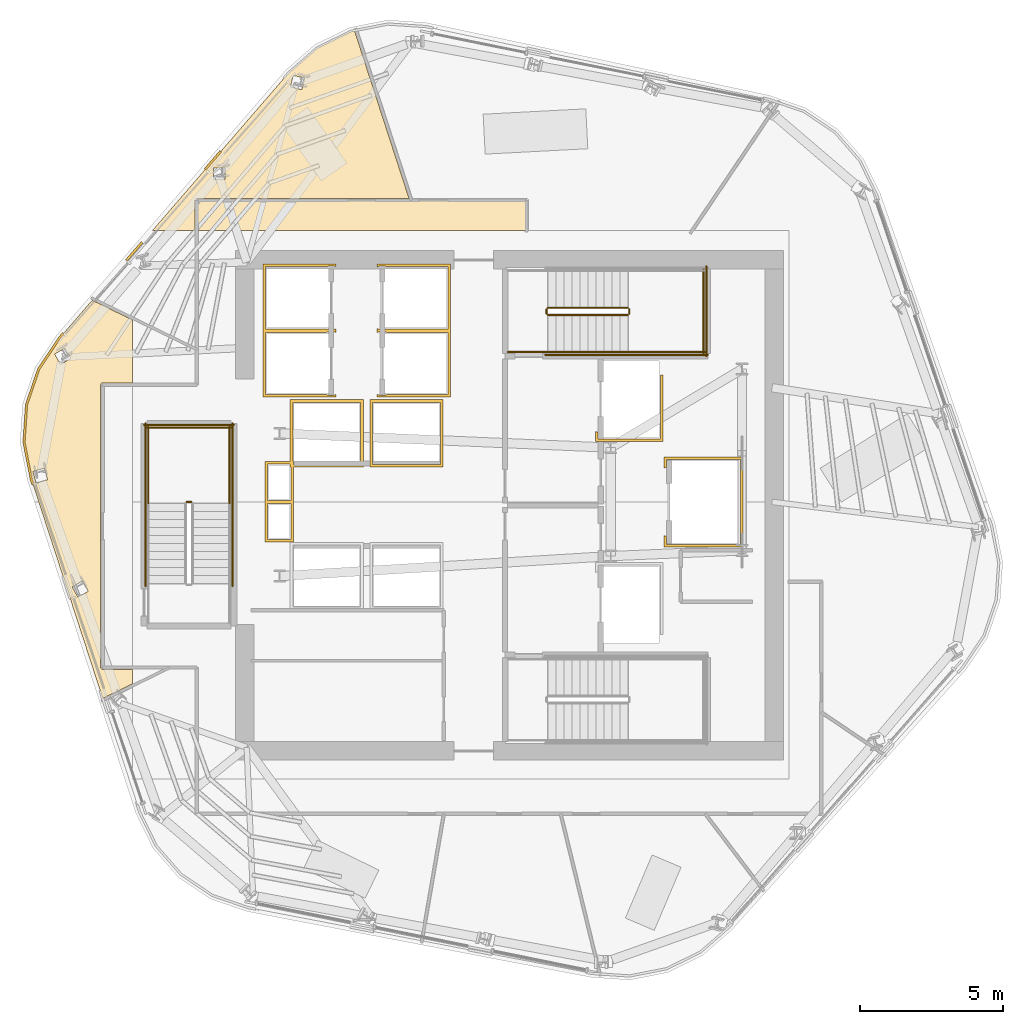
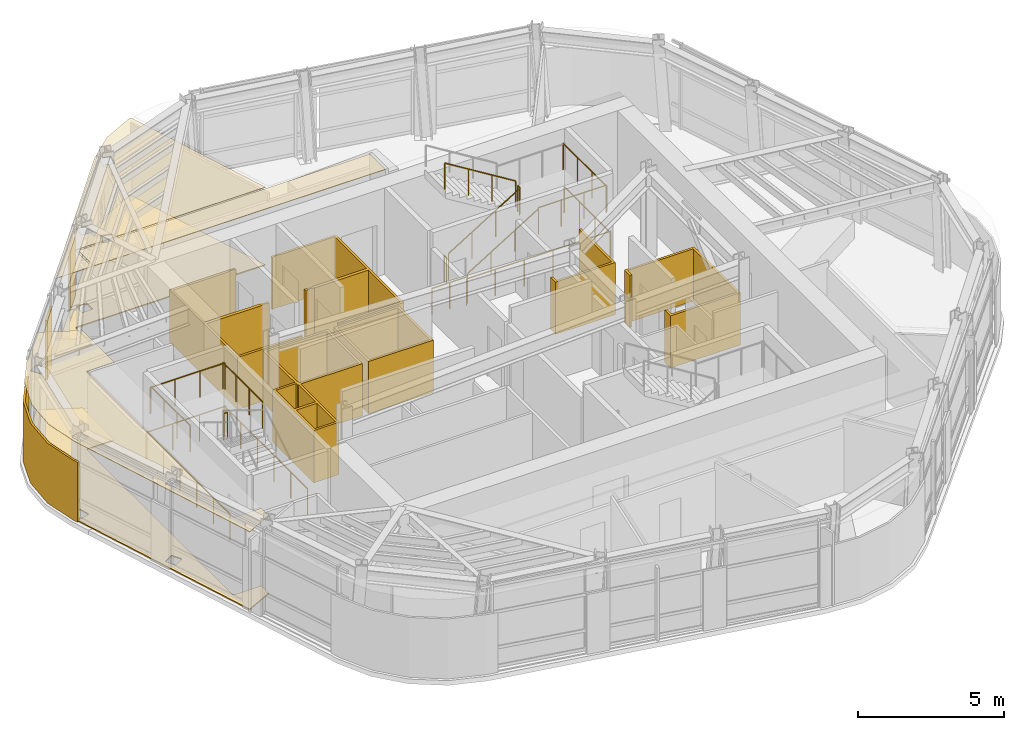
# One storey, part 10 of 12: 17 railings, 14 coverings.
"""IFC4 building model written with IfcOpenShell, lengths in metres."""

import ifcopenshell
import ifcopenshell.guid

model = None  # the IFC model being written
_history = None  # IfcOwnerHistory: only IFC2X3 demands one
_inside = {}  # id of a spatial element -> (the spatial element, [elements in it])
_under = {}  # id of a project, library or spatial element -> (it, [spatial elements below it])
_declared = {}  # id of a project -> (the project, [libraries it declares])
_typed = {}  # id of a type object -> (the type object, [elements of that type])
_made_of = {}  # id of a material, layer set ... -> (it, [elements and type objects made of it])


def new_model(schema):
    """Start an empty IFC model of exactly this schema.

    Asked for "IFC4X3", IfcOpenShell would pick the latest addendum, in which some entities
    have other attributes; the version numbers below select the first issue.
    IFC2X3 requires an IfcOwnerHistory on every rooted entity: one is made here for all.
    """
    global model, _history
    if schema == "IFC4X3":
        model = ifcopenshell.file(schema_version=(4, 3, 0, 0))
    else:
        model = ifcopenshell.file(schema=schema)
    _inside.clear()
    _under.clear()
    _declared.clear()
    _typed.clear()
    _made_of.clear()
    _history = None
    if model.schema == "IFC2X3":
        org = make("IfcOrganization", Name="unknown")
        user = make(
            "IfcPersonAndOrganization",
            ThePerson=make("IfcPerson", FamilyName="unknown"),
            TheOrganization=org,
        )
        app = make(
            "IfcApplication",
            ApplicationDeveloper=org,
            Version="unknown",
            ApplicationFullName="unknown",
            ApplicationIdentifier="unknown",
        )
        _history = make(
            "IfcOwnerHistory",
            OwningUser=user,
            OwningApplication=app,
            ChangeAction="ADDED",
            CreationDate=0,
        )
    return model


def make(cls, **values):
    """One entity of the class cls with the attributes given. An attribute that is None is left unset."""
    return model.create_entity(
        cls, **{name: value for name, value in values.items() if value is not None}
    )


def rooted(cls, **values):
    """An entity with a GlobalId (a new one), such as an element, a storey or a relation."""
    return make(cls, GlobalId=ifcopenshell.guid.new(), OwnerHistory=_history, **values)


def si_unit(unit_type, name, prefix=None):
    """IfcSIUnit, for example si_unit("LENGTHUNIT", "METRE", prefix="MILLI")."""
    return make("IfcSIUnit", UnitType=unit_type, Prefix=prefix, Name=name)


def assignment(units):
    """IfcUnitAssignment: the units of a project."""
    return None if units is None else make("IfcUnitAssignment", Units=units)


def point(xyz):
    """IfcCartesianPoint."""
    return None if xyz is None else make("IfcCartesianPoint", Coordinates=xyz)


def direction(xyz):
    """IfcDirection."""
    return None if xyz is None else make("IfcDirection", DirectionRatios=xyz)


def frame(location, z_axis=None, x_axis=None):
    """IfcAxis2Placement3D, a coordinate frame: its origin and axes. An axis left out is left unset."""
    return make(
        "IfcAxis2Placement3D",
        Location=point(location),
        Axis=direction(z_axis),
        RefDirection=direction(x_axis),
    )


def frame_2d(location, x_axis=None):
    """IfcAxis2Placement2D, a coordinate frame in the plane: its origin and x axis."""
    return make(
        "IfcAxis2Placement2D", Location=point(location), RefDirection=direction(x_axis)
    )


def origin():
    """The frame at (0, 0, 0) with its axes left unset."""
    return frame((0.0, 0.0, 0.0))


def origin_2d():
    """The frame at (0, 0) in the plane with its x axis left unset."""
    return frame_2d((0.0, 0.0))


def place(relative_to, where):
    """IfcLocalPlacement: puts the frame where relative to a parent placement (None: the world)."""
    return make(
        "IfcLocalPlacement", PlacementRelTo=relative_to, RelativePlacement=where
    )


def context(
    kind, dimensions, precision=None, world=None, true_north=None, identifier=None
):
    """IfcGeometricRepresentationContext, for example the 3D "Model" context."""
    return make(
        "IfcGeometricRepresentationContext",
        ContextIdentifier=identifier,
        ContextType=kind,
        CoordinateSpaceDimension=dimensions,
        Precision=precision,
        WorldCoordinateSystem=world,
        TrueNorth=true_north,
    )


def subcontext(parent, identifier, kind, view, scale=None):
    """IfcGeometricRepresentationSubContext, for example "Body" below "Model"."""
    return make(
        "IfcGeometricRepresentationSubContext",
        ContextIdentifier=identifier,
        ContextType=kind,
        ParentContext=parent,
        TargetScale=scale,
        TargetView=view,
    )


def project(units=None, contexts=None):
    """IfcProject with its units and contexts."""
    return rooted(
        "IfcProject",
        Name="project",
        RepresentationContexts=contexts,
        UnitsInContext=assignment(units),
    )


def spatial(cls, under=None, at=None, **own):
    """A site, building, storey or space (cls), placed at a placement, below another one or the project."""
    s = rooted(cls, ObjectPlacement=at, **own)
    if under is not None:
        _under.setdefault(under.id(), (under, []))[1].append(s)
    return s


def polyline(points):
    """IfcPolyline through the points."""
    return make("IfcPolyline", Points=[point(p) for p in points])


def profile(cls, at=None, kind="AREA", **sizes):
    """A parametric profile (cls). Its sizes go by their IFC names, for example OverallWidth=200.0."""
    return make(cls, ProfileType=kind, Position=at, **sizes)


def circle(**sizes):
    """IfcCircleProfileDef."""
    return profile("IfcCircleProfileDef", **sizes)


def outline(outer, holes=None, kind="AREA"):
    """IfcArbitraryClosedProfileDef: a profile drawn as a closed curve; with holes, ...WithVoids."""
    if holes is None:
        return make("IfcArbitraryClosedProfileDef", ProfileType=kind, OuterCurve=outer)
    return make(
        "IfcArbitraryProfileDefWithVoids",
        ProfileType=kind,
        OuterCurve=outer,
        InnerCurves=holes,
    )


def extrude(swept, where, along, depth):
    """IfcExtrudedAreaSolid: the profile swept, set in the frame where, extruded along a direction by depth."""
    return make(
        "IfcExtrudedAreaSolid",
        SweptArea=swept,
        Position=where,
        ExtrudedDirection=direction(along),
        Depth=depth,
    )


def shape(context_of_items, identifier, shape_type, items):
    """IfcShapeRepresentation: the items that make up one representation, for example the "Body"."""
    return make(
        "IfcShapeRepresentation",
        ContextOfItems=context_of_items,
        RepresentationIdentifier=identifier,
        RepresentationType=shape_type,
        Items=items,
    )


def material(Name=None, Category=None):
    """IfcMaterial."""
    return make("IfcMaterial", Name=Name, Category=Category)


def layer(
    of_material, thickness, ventilated=None, Name=None, Category=None, Priority=None
):
    """IfcMaterialLayer: one layer of a wall or slab, of a material (None: an air gap)."""
    return make(
        "IfcMaterialLayer",
        Material=of_material,
        LayerThickness=thickness,
        IsVentilated=ventilated,
        Name=Name,
        Category=Category,
        Priority=Priority,
    )


def layer_set(layers, Name=None):
    """IfcMaterialLayerSet."""
    return make("IfcMaterialLayerSet", MaterialLayers=layers, LayerSetName=Name)


def made_of(thing, what):
    """Note that an element or type object is made of a material, layer set ...; save() writes the relation."""
    if what is not None:
        _made_of.setdefault(what.id(), (what, []))[1].append(thing)
    return thing


def type_object(cls, material=None, **own):
    """A type object (cls), such as IfcWallType, which elements share."""
    return made_of(rooted(cls, **own), material)


def element(
    cls,
    number,
    at=None,
    inside=None,
    cuts=None,
    type_object=None,
    material=None,
    context=None,
    identifier="Body",
    shape_type=None,
    held_by="IfcProductDefinitionShape",
    body=None,
    shapes=None,
    **own,
):
    """One element of the class cls, such as IfcWall. Its Tag is "e" and its number.

    at: its placement. inside: the storey or other place that contains it. cuts: it is an
    opening in that element (IfcRelVoidsElement). A single representation is given by context,
    identifier, shape_type and body (its items); several are given by shapes. held_by: the class
    of the entity that holds the representations. save() writes the other relations.
    """
    e = rooted(cls, Tag="e%d" % number, ObjectPlacement=at, **own)
    if body is not None:
        shapes = [shape(context, identifier, shape_type, body)]
    if shapes is not None:
        e.Representation = make(held_by, Representations=shapes)
    if inside is not None:
        _inside.setdefault(inside.id(), (inside, []))[1].append(e)
    if cuts is not None:
        rooted(
            "IfcRelVoidsElement", RelatingBuildingElement=cuts, RelatedOpeningElement=e
        )
    if type_object is not None:
        _typed.setdefault(type_object.id(), (type_object, []))[1].append(e)
    return made_of(e, material)


def aggregate(whole, parts):
    """IfcRelAggregates: a whole, such as a stair, and the parts it consists of."""
    return rooted("IfcRelAggregates", RelatingObject=whole, RelatedObjects=parts)


def save(model, path):
    """Write the relations noted so far, then the file.

    IfcRelAggregates (storeys below a building ...), IfcRelContainedInSpatialStructure (elements
    in a storey), IfcRelDefinesByType, IfcRelAssociatesMaterial and IfcRelDeclares: one each for
    every whole, place, type object, material and project.
    """
    for whole, parts in _under.values():
        aggregate(whole, parts)
    for where, things in _inside.values():
        rooted(
            "IfcRelContainedInSpatialStructure",
            RelatedElements=things,
            RelatingStructure=where,
        )
    for kind, things in _typed.values():
        rooted("IfcRelDefinesByType", RelatedObjects=things, RelatingType=kind)
    for what, things in _made_of.values():
        rooted("IfcRelAssociatesMaterial", RelatedObjects=things, RelatingMaterial=what)
    for by, libraries in _declared.values():
        rooted("IfcRelDeclares", RelatingContext=by, RelatedDefinitions=libraries)
    model.write(path)


model = new_model("IFC4")

# Units and contexts
model_context = context("Model", 3, precision=1e-05, world=origin(), true_north=direction((0.0, 1.0)))
body_context = subcontext(model_context, "Body", "Model", "MODEL_VIEW")
ifc_project = project(units=[si_unit("LENGTHUNIT", "METRE"), si_unit("AREAUNIT", "SQUARE_METRE"), si_unit("VOLUMEUNIT", "CUBIC_METRE"), si_unit("PLANEANGLEUNIT", "RADIAN"), si_unit("MASSUNIT", "GRAM", prefix="KILO")], contexts=[model_context])

# Site, building, storey
site_placement = place(None, origin())
site = spatial("IfcSite", under=ifc_project, at=site_placement, CompositionType="ELEMENT")
building_placement = place(site_placement, origin())
building = spatial("IfcBuilding", under=site, at=building_placement, Name="Valkerne Bourse Tower", CompositionType="ELEMENT")
storey_placement = place(building_placement, frame((0.0, 0.0, 232.199951171875)))
storey = spatial("IfcBuildingStorey", under=building, at=storey_placement, Name="L59", CompositionType="ELEMENT", Elevation=232.199951171875)

# Coverings
ifc_material_1 = material(Name="Mineral Fiber Acoustic Ceiling Tile", Category="acoustic")
ifc_layer_1 = layer(ifc_material_1, 0.02490234375)
ifc_layer_set_1 = layer_set([ifc_layer_1], Name="Mineral Fiber Acoustic Ceiling Tile")
covering_type_1 = type_object("IfcCoveringType", Name="COV-CEIL-ACT", PredefinedType="CEILING", material=ifc_layer_set_1)
covering_1_placement = place(storey_placement, frame((0.0, 0.0, 3.25)))
element("IfcCovering", 1, at=covering_1_placement, inside=storey, type_object=covering_type_1, Name="L59 Suspended Ceiling 07", PredefinedType="CEILING", context=body_context, shape_type="SweptSolid", body=[
    extrude(outline(polyline([(29.889892578125, 30.40966796875), (30.3173828125, 31.657958984375), (31.05908203125, 32.76171875), (32.183837890625, 34.063232421875), (33.60009765625, 33.372314453125), (33.60009765625, 31.1689453125), (32.54931640625, 31.1689453125), (32.50830078125, 31.1552734375), (32.483154296875, 31.117431640625), (32.48291015625, 21.18359375), (32.50830078125, 21.144775390625), (32.54931640625, 21.131103515625), (33.60009765625, 21.131103515625), (33.60009765625, 20.627685546875), (32.5537109375, 20.1171875), (30.056396484375, 27.788330078125), (29.80029296875, 29.093017578125), (29.889892578125, 30.40966796875)]), holes=[polyline([(32.04541015625, 23.8701171875), (31.841064453125, 24.22705078125), (31.481201171875, 24.021728515625), (31.481689453125, 24.01953125), (31.685791015625, 23.66259765625), (32.045654296875, 23.867919921875), (32.04541015625, 23.8701171875)]), polyline([(30.619873046875, 27.77490234375), (30.5126953125, 28.171630859375), (30.112548828125, 28.064208984375), (30.112548828125, 28.061767578125), (30.2197265625, 27.664794921875), (30.619873046875, 27.7724609375), (30.619873046875, 27.77490234375)]), polyline([(31.43359375, 32.026611328125), (31.224853515625, 32.384033203125), (30.869140625, 32.177490234375), (30.868408203125, 32.17529296875), (31.0771484375, 31.817626953125), (31.432861328125, 32.0244140625), (31.43359375, 32.026611328125)])]), origin(), (0.0, 0.0, 1.0), 0.025146484375),
])
covering_2_placement = place(storey_placement, frame((0.0, 0.0, 3.25)))
element("IfcCovering", 2, at=covering_2_placement, inside=storey, type_object=covering_type_1, Name="L59 Suspended Ceiling 08", PredefinedType="CEILING", context=body_context, shape_type="SweptSolid", body=[
    extrude(outline(polyline([(41.253173828125, 43.48193359375), (41.375, 43.505859375), (43.284423828125, 37.62890625), (35.849365234375, 37.62890625), (35.809326171875, 37.615966796875), (35.787841796875, 37.590087890625), (35.781005859375, 37.560546875), (35.781005859375, 36.5), (34.289794921875, 36.5), (39.067138671875, 42.0283203125), (40.068115234375, 42.9013671875), (41.253173828125, 43.48193359375)]), holes=[polyline([(36.841796875, 38.287109375), (36.843017578125, 38.700927734375), (36.431640625, 38.703125), (36.429931640625, 38.701904296875), (36.4287109375, 38.28759765625), (36.840087890625, 38.285400390625), (36.841796875, 38.287109375)]), polyline([(39.525146484375, 41.4384765625), (39.631103515625, 41.838623046875), (39.23388671875, 41.94482421875), (39.231689453125, 41.94384765625), (39.12548828125, 41.543701171875), (39.52294921875, 41.437255859375), (39.525146484375, 41.4384765625)])]), origin(), (0.0, 0.0, 1.0), 0.025146484375),
])
ifc_material_2 = material(Name="Bronze Anodised Aluminium AA 6063-T6", Category="aluminium")
ifc_layer_2 = layer(ifc_material_2, 0.030029296875)
ifc_layer_set_2 = layer_set([ifc_layer_2], Name="Bronze Anodised Aluminium AA 6063-T6")
covering_type_2 = type_object("IfcCoveringType", Name="COV-CEIL-METAL", PredefinedType="CEILING", material=ifc_layer_set_2)
covering_3_placement = place(storey_placement, frame((0.0, 0.0, 3.25)))
element("IfcCovering", 3, at=covering_3_placement, inside=storey, type_object=covering_type_2, Name="L59 Suspended Ceiling 03", PredefinedType="CEILING", context=body_context, shape_type="SweptSolid", body=[
    extrude(outline(polyline([(35.85400390625, 37.555908203125), (47.39599609375, 37.555908203125), (47.39599609375, 36.5), (35.85400390625, 36.5), (35.85400390625, 37.555908203125)])), origin(), (0.0, 0.0, 1.0), 0.025146484375),
])
ifc_layer_3 = layer(ifc_material_2, 0.06005859375)
ifc_layer_set_3 = layer_set([ifc_layer_3], Name="Bronze Anodised Aluminium AA 6063-T6")
covering_type_3 = type_object("IfcCoveringType", Name="COV-CRN-ALUM", PredefinedType="CLADDING", material=ifc_layer_set_3)
covering_4_placement = place(storey_placement, origin())
element("IfcCovering", 4, at=covering_4_placement, inside=storey, type_object=covering_type_3, Name="L59 Wind-Shaped Corner Aluminium Cladding 10", PredefinedType="CLADDING", context=body_context, shape_type="SweptSolid", body=[
    extrude(outline(polyline([(30.013671875, 27.777099609375), (29.756103515625, 29.09033203125), (29.846435546875, 30.41845703125), (30.277587890625, 31.677734375), (31.024169921875, 32.78857421875), (31.150146484375, 32.934326171875), (31.210205078125, 32.881591796875), (31.087890625, 32.739990234375), (30.349853515625, 31.641845703125), (29.925537109375, 30.402587890625), (29.83642578125, 29.095458984375), (30.09130859375, 27.79736328125), (30.149169921875, 27.619384765625), (30.0732421875, 27.593994140625), (30.013671875, 27.777099609375)])), origin(), (0.0, 0.0, 1.0), 2.5),
])
covering_5_placement = place(storey_placement, origin())
element("IfcCovering", 5, at=covering_5_placement, inside=storey, type_object=covering_type_3, Name="L59 Wind-Shaped Corner Aluminium Cladding 11", PredefinedType="CLADDING", context=body_context, shape_type="SweptSolid", body=[
    extrude(outline(polyline([(33.904296875, 36.121337890625), (33.96435546875, 36.068603515625), (33.4150390625, 35.432861328125), (33.35498046875, 35.48583984375), (33.904296875, 36.121337890625)])), origin(), (0.0, 0.0, 1.0), 2.5),
])
covering_6_placement = place(storey_placement, origin())
element("IfcCovering", 6, at=covering_6_placement, inside=storey, type_object=covering_type_3, Name="L59 Wind-Shaped Corner Aluminium Cladding 12", PredefinedType="CLADDING", context=body_context, shape_type="SweptSolid", body=[
    extrude(outline(polyline([(36.658447265625, 39.308349609375), (36.718505859375, 39.255615234375), (36.169189453125, 38.619873046875), (36.109375, 38.6728515625), (36.658447265625, 39.308349609375)])), origin(), (0.0, 0.0, 1.0), 2.5),
])
ifc_material_3 = material(Name="Galvanised Painted Steel", Category="steel")
ifc_layer_4 = layer(ifc_material_3, 0.044921875)
ifc_layer_set_4 = layer_set([ifc_layer_4], Name="Galvanised Painted Steel")
covering_type_4 = type_object("IfcCoveringType", Name="COV-FLR-RAF", PredefinedType="FLOORING", material=ifc_layer_set_4)
covering_7_placement = place(storey_placement, origin())
element("IfcCovering", 7, at=covering_7_placement, inside=storey, type_object=covering_type_4, Name="L59 Floor Finish 07", PredefinedType="FLOORING", context=body_context, shape_type="SweptSolid", body=[
    extrude(outline(polyline([(29.889892578125, 30.40966796875), (30.3173828125, 31.657958984375), (31.05908203125, 32.76171875), (32.183837890625, 34.063232421875), (33.60009765625, 33.372314453125), (33.60009765625, 31.1689453125), (32.54931640625, 31.1689453125), (32.50830078125, 31.1552734375), (32.483154296875, 31.117431640625), (32.48291015625, 21.18359375), (32.50830078125, 21.144775390625), (32.54931640625, 21.131103515625), (33.60009765625, 21.131103515625), (33.60009765625, 20.627685546875), (32.5537109375, 20.1171875), (30.056396484375, 27.788330078125), (29.80029296875, 29.093017578125), (29.889892578125, 30.40966796875)]), holes=[polyline([(32.04541015625, 23.8701171875), (31.841064453125, 24.22705078125), (31.481201171875, 24.021728515625), (31.481689453125, 24.01953125), (31.685791015625, 23.66259765625), (32.045654296875, 23.867919921875), (32.04541015625, 23.8701171875)]), polyline([(30.619873046875, 27.77490234375), (30.5126953125, 28.171630859375), (30.112548828125, 28.064208984375), (30.112548828125, 28.061767578125), (30.2197265625, 27.664794921875), (30.619873046875, 27.7724609375), (30.619873046875, 27.77490234375)]), polyline([(31.43359375, 32.026611328125), (31.224853515625, 32.384033203125), (30.869140625, 32.177490234375), (30.868408203125, 32.17529296875), (31.0771484375, 31.817626953125), (31.432861328125, 32.0244140625), (31.43359375, 32.026611328125)])]), origin(), (0.0, 0.0, 1.0), 0.045166015625),
])
covering_8_placement = place(storey_placement, origin())
element("IfcCovering", 8, at=covering_8_placement, inside=storey, type_object=covering_type_4, Name="L59 Floor Finish 08", PredefinedType="FLOORING", context=body_context, shape_type="SweptSolid", body=[
    extrude(outline(polyline([(41.253173828125, 43.48193359375), (41.375, 43.505859375), (43.284423828125, 37.62890625), (35.849365234375, 37.62890625), (35.809326171875, 37.615966796875), (35.787841796875, 37.590087890625), (35.781005859375, 37.560546875), (35.781005859375, 36.5), (34.289794921875, 36.5), (39.067138671875, 42.0283203125), (40.068115234375, 42.9013671875), (41.253173828125, 43.48193359375)]), holes=[polyline([(36.841796875, 38.287109375), (36.843017578125, 38.700927734375), (36.431640625, 38.703125), (36.429931640625, 38.701904296875), (36.4287109375, 38.28759765625), (36.840087890625, 38.285400390625), (36.841796875, 38.287109375)]), polyline([(39.525146484375, 41.4384765625), (39.631103515625, 41.838623046875), (39.23388671875, 41.94482421875), (39.231689453125, 41.94384765625), (39.12548828125, 41.543701171875), (39.52294921875, 41.437255859375), (39.525146484375, 41.4384765625)])]), origin(), (0.0, 0.0, 1.0), 0.045166015625),
])
ifc_material_4 = material(Name="Gypsum Shaftwall Liner Board", Category="gypsum")
ifc_layer_5 = layer(ifc_material_4, 0.080078125)
ifc_layer_set_5 = layer_set([ifc_layer_5], Name="Gypsum Shaftwall Liner Board")
covering_type_5 = type_object("IfcCoveringType", Name="COV-SHF-CLAD", PredefinedType="CLADDING", material=ifc_layer_set_5)
covering_9_placement = place(storey_placement, origin())
element("IfcCovering", 9, at=covering_9_placement, inside=storey, type_object=covering_type_5, Name="L59 Hoistway & Riser Shaftwall Liner 03", PredefinedType="CLADDING", context=body_context, shape_type="SweptSolid", body=[
    extrude(outline(polyline([(38.239990234375, 28.409912109375), (39.1201171875, 28.409912109375), (39.1201171875, 30.580078125), (41.679931640625, 30.580078125), (41.679931640625, 28.219970703125), (39.239990234375, 28.219970703125), (39.239990234375, 27.0400390625), (39.239990234375, 26.9599609375), (39.239990234375, 25.590087890625), (38.239990234375, 25.590087890625), (38.239990234375, 26.9599609375), (38.239990234375, 27.0400390625), (38.239990234375, 28.409912109375)]), holes=[polyline([(38.330078125, 26.949951171875), (38.330078125, 25.679931640625), (39.14990234375, 25.679931640625), (39.14990234375, 26.949951171875), (38.330078125, 26.949951171875)]), polyline([(39.2099609375, 30.489990234375), (39.2099609375, 28.409912109375), (39.239990234375, 28.409912109375), (39.239990234375, 28.31005859375), (41.590087890625, 28.31005859375), (41.590087890625, 30.489990234375), (39.2099609375, 30.489990234375)]), polyline([(38.330078125, 27.050048828125), (39.14990234375, 27.050048828125), (39.14990234375, 28.219970703125), (39.1201171875, 28.219970703125), (39.1201171875, 28.320068359375), (38.330078125, 28.320068359375), (38.330078125, 27.050048828125)])]), origin(), (0.0, 0.0, 1.0), 2.179931640625),
])
covering_10_placement = place(storey_placement, origin())
element("IfcCovering", 10, at=covering_10_placement, inside=storey, type_object=covering_type_5, Name="L59 Hoistway & Riser Shaftwall Liner 04", PredefinedType="CLADDING", context=body_context, shape_type="SweptSolid", body=[
    extrude(outline(polyline([(38.169921875, 35.330078125), (40.72998046875, 35.330078125), (40.72998046875, 35.232177734375), (40.72216796875, 35.235595703125), (40.6806640625, 35.25048828125), (40.6376953125, 35.261474609375), (40.593994140625, 35.267822265625), (40.550048828125, 35.27001953125), (40.505859375, 35.267822265625), (40.462158203125, 35.261474609375), (40.41943359375, 35.25048828125), (40.3896484375, 35.239990234375), (38.260009765625, 35.239990234375), (38.260009765625, 33.06005859375), (40.3896484375, 33.06005859375), (40.41943359375, 33.04931640625), (40.462158203125, 33.03857421875), (40.505859375, 33.0322265625), (40.550048828125, 33.030029296875), (40.593994140625, 33.0322265625), (40.6376953125, 33.03857421875), (40.6806640625, 33.04931640625), (40.72216796875, 33.064208984375), (40.72998046875, 33.06787109375), (40.72998046875, 33.030029296875), (40.72998046875, 32.969970703125), (40.72998046875, 32.93212890625), (40.72216796875, 32.935791015625), (40.6806640625, 32.95068359375), (40.6376953125, 32.96142578125), (40.593994140625, 32.9677734375), (40.550048828125, 32.969970703125), (40.505859375, 32.9677734375), (40.462158203125, 32.96142578125), (40.41943359375, 32.95068359375), (40.3896484375, 32.93994140625), (38.260009765625, 32.93994140625), (38.260009765625, 30.760009765625), (40.3896484375, 30.760009765625), (40.41943359375, 30.74951171875), (40.462158203125, 30.738525390625), (40.505859375, 30.732177734375), (40.550048828125, 30.72998046875), (40.593994140625, 30.732177734375), (40.6376953125, 30.738525390625), (40.6806640625, 30.74951171875), (40.72216796875, 30.764404296875), (40.72998046875, 30.767822265625), (40.72998046875, 30.669921875), (38.169921875, 30.669921875), (38.169921875, 32.969970703125), (38.169921875, 33.030029296875), (38.169921875, 35.330078125)])), origin(), (0.0, 0.0, 1.0), 2.179931640625),
])
covering_11_placement = place(storey_placement, origin())
element("IfcCovering", 11, at=covering_11_placement, inside=storey, type_object=covering_type_5, Name="L59 Hoistway & Riser Shaftwall Liner 06", PredefinedType="CLADDING", context=body_context, shape_type="SweptSolid", body=[
    extrude(outline(polyline([(54.97998046875, 25.419921875), (52.219970703125, 25.419921875), (52.219970703125, 25.81787109375), (52.227783203125, 25.814208984375), (52.269287109375, 25.79931640625), (52.31005859375, 25.789306640625), (52.31005859375, 25.510009765625), (54.889892578125, 25.510009765625), (54.889892578125, 28.489990234375), (52.31005859375, 28.489990234375), (52.31005859375, 28.210693359375), (52.269287109375, 28.20068359375), (52.227783203125, 28.185791015625), (52.219970703125, 28.18212890625), (52.219970703125, 28.580078125), (54.97998046875, 28.580078125), (54.97998046875, 25.419921875)])), origin(), (0.0, 0.0, 1.0), 2.179931640625),
])
covering_12_placement = place(storey_placement, origin())
element("IfcCovering", 12, at=covering_12_placement, inside=storey, type_object=covering_type_5, Name="L59 Hoistway & Riser Shaftwall Liner 07", PredefinedType="CLADDING", context=body_context, shape_type="SweptSolid", body=[
    extrude(outline(polyline([(44.47998046875, 28.219970703125), (41.919921875, 28.219970703125), (41.919921875, 30.580078125), (44.47998046875, 30.580078125), (44.47998046875, 28.219970703125)]), holes=[polyline([(42.010009765625, 30.489990234375), (42.010009765625, 28.31005859375), (44.389892578125, 28.31005859375), (44.389892578125, 30.489990234375), (42.010009765625, 30.489990234375)])]), origin(), (0.0, 0.0, 1.0), 2.179931640625),
])
covering_13_placement = place(storey_placement, origin())
element("IfcCovering", 13, at=covering_13_placement, inside=storey, type_object=covering_type_5, Name="L59 Hoistway & Riser Shaftwall Liner 08", PredefinedType="CLADDING", context=body_context, shape_type="SweptSolid", body=[
    extrude(outline(polyline([(49.820068359375, 29.1201171875), (49.820068359375, 29.468017578125), (49.827880859375, 29.46435546875), (49.869384765625, 29.449462890625), (49.909912109375, 29.439208984375), (49.909912109375, 29.2099609375), (52.090087890625, 29.2099609375), (52.090087890625, 31.449951171875), (52.179931640625, 31.449951171875), (52.179931640625, 29.1201171875), (49.820068359375, 29.1201171875)])), origin(), (0.0, 0.0, 1.0), 2.179931640625),
])
covering_14_placement = place(storey_placement, origin())
element("IfcCovering", 14, at=covering_14_placement, inside=storey, type_object=covering_type_5, Name="L59 Hoistway & Riser Shaftwall Liner 09", PredefinedType="CLADDING", context=body_context, shape_type="SweptSolid", body=[
    extrude(outline(polyline([(42.169921875, 33.06787109375), (42.177734375, 33.064208984375), (42.219482421875, 33.04931640625), (42.26220703125, 33.03857421875), (42.305908203125, 33.0322265625), (42.35009765625, 33.030029296875), (42.39404296875, 33.0322265625), (42.437744140625, 33.03857421875), (42.480712890625, 33.04931640625), (42.51025390625, 33.06005859375), (44.639892578125, 33.06005859375), (44.639892578125, 35.239990234375), (42.51025390625, 35.239990234375), (42.480712890625, 35.25048828125), (42.437744140625, 35.261474609375), (42.39404296875, 35.267822265625), (42.35009765625, 35.27001953125), (42.305908203125, 35.267822265625), (42.26220703125, 35.261474609375), (42.219482421875, 35.25048828125), (42.177734375, 35.235595703125), (42.169921875, 35.232177734375), (42.169921875, 35.330078125), (44.72998046875, 35.330078125), (44.72998046875, 33.030029296875), (44.72998046875, 32.969970703125), (44.72998046875, 30.669921875), (42.169921875, 30.669921875), (42.169921875, 30.767822265625), (42.177734375, 30.764404296875), (42.219482421875, 30.74951171875), (42.26220703125, 30.738525390625), (42.305908203125, 30.732177734375), (42.35009765625, 30.72998046875), (42.39404296875, 30.732177734375), (42.437744140625, 30.738525390625), (42.480712890625, 30.74951171875), (42.51025390625, 30.760009765625), (44.639892578125, 30.760009765625), (44.639892578125, 32.93994140625), (42.51025390625, 32.93994140625), (42.480712890625, 32.95068359375), (42.437744140625, 32.96142578125), (42.39404296875, 32.9677734375), (42.35009765625, 32.969970703125), (42.305908203125, 32.9677734375), (42.26220703125, 32.96142578125), (42.219482421875, 32.95068359375), (42.177734375, 32.935791015625), (42.169921875, 32.93212890625), (42.169921875, 32.969970703125), (42.169921875, 33.030029296875), (42.169921875, 33.06787109375)])), origin(), (0.0, 0.0, 1.0), 2.179931640625),
])

# Railings
railing_type_1 = type_object("IfcRailingType", Name="RLG-ST-GUARD-1120", PredefinedType="GUARDRAIL", material=ifc_material_3)
railing_1_placement = place(storey_placement, frame((48.14990234375, 33.550048828125, 0.1728515625)))
element("IfcRailing", 15, at=railing_1_placement, inside=storey, type_object=railing_type_1, Name="L59 ST-2 stair guard 1", PredefinedType="GUARDRAIL", context=body_context, shape_type="SweptSolid", body=[
    extrude(circle(Radius=0.02392578125, at=origin_2d()), frame((0.0, 0.0, 1.09619140625), z_axis=(0.851089632645, 0.0, 0.525020415988), x_axis=(0.0, 1.0, 0.0)), (0.0, 0.0, 1.0), 3.2900390625),
    extrude(circle(Radius=0.02099609375, at=origin_2d()), origin(), (0.0, 0.0, 1.0), 1.072021484375),
    extrude(circle(Radius=0.02099609375, at=origin_2d()), frame((0.933349609375, 0.0, 0.57568359375)), (0.0, 0.0, 1.0), 1.072021484375),
    extrude(circle(Radius=0.02099609375, at=origin_2d()), frame((1.86669921875, 0.0, 1.151611328125)), (0.0, 0.0, 1.0), 1.072021484375),
    extrude(circle(Radius=0.02099609375, at=origin_2d()), frame((2.800048828125, 0.0, 1.727294921875)), (0.0, 0.0, 1.0), 1.072021484375),
])
railing_2_placement = place(storey_placement, frame((51.0, 33.60009765625, 1.900146484375)))
element("IfcRailing", 16, at=railing_2_placement, inside=storey, type_object=railing_type_1, Name="L59 ST-2 stair guard 2", PredefinedType="GUARDRAIL", context=body_context, shape_type="SweptSolid", body=[
    extrude(circle(Radius=0.02392578125, at=origin_2d()), frame((0.0, 0.0, 1.09619140625), z_axis=(0.0, 1.0, 0.0), x_axis=(-1.0, 0.0, 0.0)), (0.0, 0.0, 1.0), 0.14990234375),
    extrude(circle(Radius=0.02099609375, at=origin_2d()), origin(), (0.0, 0.0, 1.0), 1.072021484375),
    extrude(circle(Radius=0.02099609375, at=origin_2d()), frame((0.0, 0.14990234375, 0.0)), (0.0, 0.0, 1.0), 1.072021484375),
])
railing_3_placement = place(storey_placement, frame((50.949951171875, 32.25, 1.900146484375)))
element("IfcRailing", 17, at=railing_3_placement, inside=storey, type_object=railing_type_1, Name="L59 ST-2 stair guard 3", PredefinedType="GUARDRAIL", context=body_context, shape_type="SweptSolid", body=[
    extrude(circle(Radius=0.02392578125, at=origin_2d()), frame((0.0, 0.0, 1.09619140625), z_axis=(1.0, 0.0, 0.0), x_axis=(0.0, 1.0, 0.0)), (0.0, 0.0, 1.0), 2.699951171875),
    extrude(circle(Radius=0.02099609375, at=origin_2d()), origin(), (0.0, 0.0, 1.0), 1.072021484375),
    extrude(circle(Radius=0.02099609375, at=origin_2d()), frame((0.89990234375, 0.0, 0.0)), (0.0, 0.0, 1.0), 1.072021484375),
    extrude(circle(Radius=0.02099609375, at=origin_2d()), frame((1.800048828125, 0.0, 0.0)), (0.0, 0.0, 1.0), 1.072021484375),
    extrude(circle(Radius=0.02099609375, at=origin_2d()), frame((2.699951171875, 0.0, 0.0)), (0.0, 0.0, 1.0), 1.072021484375),
])
railing_4_placement = place(storey_placement, frame((53.60009765625, 32.199951171875, 1.900146484375)))
element("IfcRailing", 18, at=railing_4_placement, inside=storey, type_object=railing_type_1, Name="L59 ST-2 stair guard 5", PredefinedType="GUARDRAIL", context=body_context, shape_type="SweptSolid", body=[
    extrude(circle(Radius=0.02392578125, at=origin_2d()), frame((0.0, 0.0, 1.09619140625), z_axis=(0.0, 1.0, 0.0), x_axis=(-1.0, 0.0, 0.0)), (0.0, 0.0, 1.0), 2.949951171875),
    extrude(circle(Radius=0.02099609375, at=origin_2d()), origin(), (0.0, 0.0, 1.0), 1.072021484375),
    extrude(circle(Radius=0.02099609375, at=origin_2d()), frame((0.0, 0.9833984375, 0.0)), (0.0, 0.0, 1.0), 1.072021484375),
    extrude(circle(Radius=0.02099609375, at=origin_2d()), frame((0.0, 1.966552734375, 0.0)), (0.0, 0.0, 1.0), 1.072021484375),
    extrude(circle(Radius=0.02099609375, at=origin_2d()), frame((0.0, 2.949951171875, 0.0)), (0.0, 0.0, 1.0), 1.072021484375),
])
railing_5_placement = place(storey_placement, frame((50.949951171875, 33.800048828125, 2.07275390625)))
element("IfcRailing", 19, at=railing_5_placement, inside=storey, type_object=railing_type_1, Name="L59 ST-2 stair guard 6", PredefinedType="GUARDRAIL", context=body_context, shape_type="SweptSolid", body=[
    extrude(circle(Radius=0.02392578125, at=origin_2d()), frame((0.0, 0.0, 1.09619140625), z_axis=(-0.851089632645, 0.0, 0.525020415988), x_axis=(0.0, -1.0, 0.0)), (0.0, 0.0, 1.0), 3.2900390625),
    extrude(circle(Radius=0.02099609375, at=origin_2d()), origin(), (0.0, 0.0, 1.0), 1.072021484375),
    extrude(circle(Radius=0.02099609375, at=origin_2d()), frame((-0.933349609375, 0.0, 0.57568359375)), (0.0, 0.0, 1.0), 1.072021484375),
    extrude(circle(Radius=0.02099609375, at=origin_2d()), frame((-1.86669921875, 0.0, 1.151611328125)), (0.0, 0.0, 1.0), 1.072021484375),
    extrude(circle(Radius=0.02099609375, at=origin_2d()), frame((-2.800048828125, 0.0, 1.727294921875)), (0.0, 0.0, 1.0), 1.072021484375),
])
railing_6_placement = place(storey_placement, frame((48.10009765625, 33.60009765625, 0.0)))
element("IfcRailing", 20, at=railing_6_placement, inside=storey, type_object=railing_type_1, Name="L59 ST-2 stair guard 7", PredefinedType="GUARDRAIL", context=body_context, shape_type="SweptSolid", body=[
    extrude(circle(Radius=0.02392578125, at=origin_2d()), frame((0.0, 0.0, 1.09619140625), z_axis=(0.0, 1.0, 0.0), x_axis=(-1.0, 0.0, 0.0)), (0.0, 0.0, 1.0), 0.14990234375),
    extrude(circle(Radius=0.02099609375, at=origin_2d()), origin(), (0.0, 0.0, 1.0), 1.072021484375),
    extrude(circle(Radius=0.02099609375, at=origin_2d()), frame((0.0, 0.14990234375, 0.0)), (0.0, 0.0, 1.0), 1.072021484375),
])
railing_7_placement = place(storey_placement, frame((46.75, 32.25, 0.0)))
element("IfcRailing", 21, at=railing_7_placement, inside=storey, type_object=railing_type_1, Name="L59 ST-2 stair guard 8", PredefinedType="GUARDRAIL", context=body_context, shape_type="SweptSolid", body=[
    extrude(circle(Radius=0.02392578125, at=origin_2d()), frame((0.0, 0.0, 1.09619140625), z_axis=(1.0, 0.0, 0.0), x_axis=(0.0, 1.0, 0.0)), (0.0, 0.0, 1.0), 1.39990234375),
    extrude(circle(Radius=0.02099609375, at=origin_2d()), origin(), (0.0, 0.0, 1.0), 1.072021484375),
    extrude(circle(Radius=0.02099609375, at=origin_2d()), frame((0.699951171875, 0.0, 0.0)), (0.0, 0.0, 1.0), 1.072021484375),
    extrude(circle(Radius=0.02099609375, at=origin_2d()), frame((1.39990234375, 0.0, 0.0)), (0.0, 0.0, 1.0), 1.072021484375),
])
railing_8_placement = place(storey_placement, frame((48.050048828125, 32.14990234375, 0.0)))
element("IfcRailing", 22, at=railing_8_placement, inside=storey, type_object=railing_type_1, Name="L59 ST-2 stair guard 10", PredefinedType="GUARDRAIL", context=body_context, shape_type="SweptSolid", body=[
    extrude(circle(Radius=0.02392578125, at=origin_2d()), frame((0.0, 0.0, 1.09619140625), z_axis=(1.0, 0.0, 0.0), x_axis=(0.0, 1.0, 0.0)), (0.0, 0.0, 1.0), 5.699951171875),
    extrude(circle(Radius=0.02099609375, at=origin_2d()), origin(), (0.0, 0.0, 1.0), 1.072021484375),
    extrude(circle(Radius=0.02099609375, at=origin_2d()), frame((1.139892578125, 0.0, 0.0)), (0.0, 0.0, 1.0), 1.072021484375),
    extrude(circle(Radius=0.02099609375, at=origin_2d()), frame((2.280029296875, 0.0, 0.0)), (0.0, 0.0, 1.0), 1.072021484375),
    extrude(circle(Radius=0.02099609375, at=origin_2d()), frame((3.419921875, 0.0, 0.0)), (0.0, 0.0, 1.0), 1.072021484375),
    extrude(circle(Radius=0.02099609375, at=origin_2d()), frame((4.56005859375, 0.0, 0.0)), (0.0, 0.0, 1.0), 1.072021484375),
    extrude(circle(Radius=0.02099609375, at=origin_2d()), frame((5.699951171875, 0.0, 0.0)), (0.0, 0.0, 1.0), 1.072021484375),
])
railing_9_placement = place(storey_placement, frame((53.699951171875, 32.10009765625, 0.0)))
element("IfcRailing", 23, at=railing_9_placement, inside=storey, type_object=railing_type_1, Name="L59 ST-2 stair guard 12", PredefinedType="GUARDRAIL", context=body_context, shape_type="SweptSolid", body=[
    extrude(circle(Radius=0.02392578125, at=origin_2d()), frame((0.0, 0.0, 1.09619140625), z_axis=(0.0, 1.0, 0.0), x_axis=(-1.0, 0.0, 0.0)), (0.0, 0.0, 1.0), 3.14990234375),
    extrude(circle(Radius=0.02099609375, at=origin_2d()), origin(), (0.0, 0.0, 1.0), 1.072021484375),
    extrude(circle(Radius=0.02099609375, at=origin_2d()), frame((0.0, 1.050048828125, 0.0)), (0.0, 0.0, 1.0), 1.072021484375),
    extrude(circle(Radius=0.02099609375, at=origin_2d()), frame((0.0, 2.099853515625, 0.0)), (0.0, 0.0, 1.0), 1.072021484375),
    extrude(circle(Radius=0.02099609375, at=origin_2d()), frame((0.0, 3.14990234375, 0.0)), (0.0, 0.0, 1.0), 1.072021484375),
])
railing_10_placement = place(storey_placement, frame((35.64990234375, 27.0, 1.900146484375)))
element("IfcRailing", 24, at=railing_10_placement, inside=storey, type_object=railing_type_1, Name="L59 ST-3 stair guard 2", PredefinedType="GUARDRAIL", context=body_context, shape_type="SweptSolid", body=[
    extrude(circle(Radius=0.02392578125, at=origin_2d()), frame((0.0, 0.0, 1.09619140625), z_axis=(-1.0, 0.0, 0.0), x_axis=(0.0, -1.0, 0.0)), (0.0, 0.0, 1.0), 0.14990234375),
    extrude(circle(Radius=0.02099609375, at=origin_2d()), origin(), (0.0, 0.0, 1.0), 1.072021484375),
    extrude(circle(Radius=0.02099609375, at=origin_2d()), frame((-0.14990234375, 0.0, 0.0)), (0.0, 0.0, 1.0), 1.072021484375),
])
for number, where, name in (
    (25, (37.0, 26.949951171875, 1.900146484375), "L59 ST-3 stair guard 3"),
    (26, (34.14990234375, 26.949951171875, 1.900146484375), "L59 ST-3 stair guard 4"),
):
    element("IfcRailing", number, at=place(storey_placement, frame(where)), inside=storey, type_object=railing_type_1, Name=name, PredefinedType="GUARDRAIL", context=body_context, shape_type="SweptSolid", body=[
        extrude(circle(Radius=0.02392578125, at=origin_2d()), frame((0.0, 0.0, 1.09619140625), z_axis=(0.0, 1.0, 0.0), x_axis=(-1.0, 0.0, 0.0)), (0.0, 0.0, 1.0), 2.699951171875),
        extrude(circle(Radius=0.02099609375, at=origin_2d()), origin(), (0.0, 0.0, 1.0), 1.072021484375),
        extrude(circle(Radius=0.02099609375, at=origin_2d()), frame((0.0, 0.89990234375, 0.0)), (0.0, 0.0, 1.0), 1.072021484375),
        extrude(circle(Radius=0.02099609375, at=origin_2d()), frame((0.0, 1.800048828125, 0.0)), (0.0, 0.0, 1.0), 1.072021484375),
        extrude(circle(Radius=0.02099609375, at=origin_2d()), frame((0.0, 2.699951171875, 0.0)), (0.0, 0.0, 1.0), 1.072021484375),
    ])
railing_11_placement = place(storey_placement, frame((37.050048828125, 29.60009765625, 1.900146484375)))
element("IfcRailing", 27, at=railing_11_placement, inside=storey, type_object=railing_type_1, Name="L59 ST-3 stair guard 5", PredefinedType="GUARDRAIL", context=body_context, shape_type="SweptSolid", body=[
    extrude(circle(Radius=0.02392578125, at=origin_2d()), frame((0.0, 0.0, 1.09619140625), z_axis=(-1.0, 0.0, 0.0), x_axis=(0.0, -1.0, 0.0)), (0.0, 0.0, 1.0), 2.949951171875),
    extrude(circle(Radius=0.02099609375, at=origin_2d()), origin(), (0.0, 0.0, 1.0), 1.072021484375),
    extrude(circle(Radius=0.02099609375, at=origin_2d()), frame((-0.9833984375, 0.0, 0.0)), (0.0, 0.0, 1.0), 1.072021484375),
    extrude(circle(Radius=0.02099609375, at=origin_2d()), frame((-1.966552734375, 0.0, 0.0)), (0.0, 0.0, 1.0), 1.072021484375),
    extrude(circle(Radius=0.02099609375, at=origin_2d()), frame((-2.949951171875, 0.0, 0.0)), (0.0, 0.0, 1.0), 1.072021484375),
])
for number, where, name in (
    (28, (37.10009765625, 24.050048828125, 0.0), "L59 ST-3 stair guard 10"),
    (29, (34.050048828125, 24.050048828125, 0.0), "L59 ST-3 stair guard 11"),
):
    element("IfcRailing", number, at=place(storey_placement, frame(where)), inside=storey, type_object=railing_type_1, Name=name, PredefinedType="GUARDRAIL", context=body_context, shape_type="SweptSolid", body=[
        extrude(circle(Radius=0.02392578125, at=origin_2d()), frame((0.0, 0.0, 1.09619140625), z_axis=(0.0, 1.0, 0.0), x_axis=(-1.0, 0.0, 0.0)), (0.0, 0.0, 1.0), 5.699951171875),
        extrude(circle(Radius=0.02099609375, at=origin_2d()), origin(), (0.0, 0.0, 1.0), 1.072021484375),
        extrude(circle(Radius=0.02099609375, at=origin_2d()), frame((0.0, 1.139892578125, 0.0)), (0.0, 0.0, 1.0), 1.072021484375),
        extrude(circle(Radius=0.02099609375, at=origin_2d()), frame((0.0, 2.280029296875, 0.0)), (0.0, 0.0, 1.0), 1.072021484375),
        extrude(circle(Radius=0.02099609375, at=origin_2d()), frame((0.0, 3.419921875, 0.0)), (0.0, 0.0, 1.0), 1.072021484375),
        extrude(circle(Radius=0.02099609375, at=origin_2d()), frame((0.0, 4.56005859375, 0.0)), (0.0, 0.0, 1.0), 1.072021484375),
        extrude(circle(Radius=0.02099609375, at=origin_2d()), frame((0.0, 5.699951171875, 0.0)), (0.0, 0.0, 1.0), 1.072021484375),
    ])
railing_12_placement = place(storey_placement, frame((37.14990234375, 29.699951171875, 0.0)))
element("IfcRailing", 30, at=railing_12_placement, inside=storey, type_object=railing_type_1, Name="L59 ST-3 stair guard 12", PredefinedType="GUARDRAIL", context=body_context, shape_type="SweptSolid", body=[
    extrude(circle(Radius=0.02392578125, at=origin_2d()), frame((0.0, 0.0, 1.09619140625), z_axis=(-1.0, 0.0, 0.0), x_axis=(0.0, -1.0, 0.0)), (0.0, 0.0, 1.0), 3.14990234375),
    extrude(circle(Radius=0.02099609375, at=origin_2d()), origin(), (0.0, 0.0, 1.0), 1.072021484375),
    extrude(circle(Radius=0.02099609375, at=origin_2d()), frame((-1.050048828125, 0.0, 0.0)), (0.0, 0.0, 1.0), 1.072021484375),
    extrude(circle(Radius=0.02099609375, at=origin_2d()), frame((-2.099853515625, 0.0, 0.0)), (0.0, 0.0, 1.0), 1.072021484375),
    extrude(circle(Radius=0.02099609375, at=origin_2d()), frame((-3.14990234375, 0.0, 0.0)), (0.0, 0.0, 1.0), 1.072021484375),
])
ifc_material_5 = material(Name="Stainless Steel AISI 316", Category="steel")
railing_type_2 = type_object("IfcRailingType", Name="RLG-ST-HANDRAIL-900", PredefinedType="HANDRAIL", material=ifc_material_5)
railing_13_placement = place(storey_placement, frame((48.14990234375, 32.25, 0.345458984375)))
element("IfcRailing", 31, at=railing_13_placement, inside=storey, type_object=railing_type_2, Name="L59 ST-2 stair handrail 1", PredefinedType="HANDRAIL", context=body_context, shape_type="SweptSolid", body=[
    extrude(circle(Radius=0.02392578125, at=origin_2d()), frame((0.0, 0.0, 0.8759765625), z_axis=(0.851089632645, 0.0, 0.525020415988), x_axis=(0.0, 1.0, 0.0)), (0.0, 0.0, 1.0), 3.2900390625),
    extrude(circle(Radius=0.02099609375, at=origin_2d()), origin(), (0.0, 0.0, 1.0), 0.851806640625),
    extrude(circle(Radius=0.02099609375, at=origin_2d()), frame((0.933349609375, 0.0, 0.57568359375)), (0.0, 0.0, 1.0), 0.851806640625),
    extrude(circle(Radius=0.02099609375, at=origin_2d()), frame((1.86669921875, 0.0, 1.151611328125)), (0.0, 0.0, 1.0), 0.851806640625),
    extrude(circle(Radius=0.02099609375, at=origin_2d()), frame((2.800048828125, 0.0, 1.727294921875)), (0.0, 0.0, 1.0), 0.851806640625),
])

save(model, "model.ifc")
